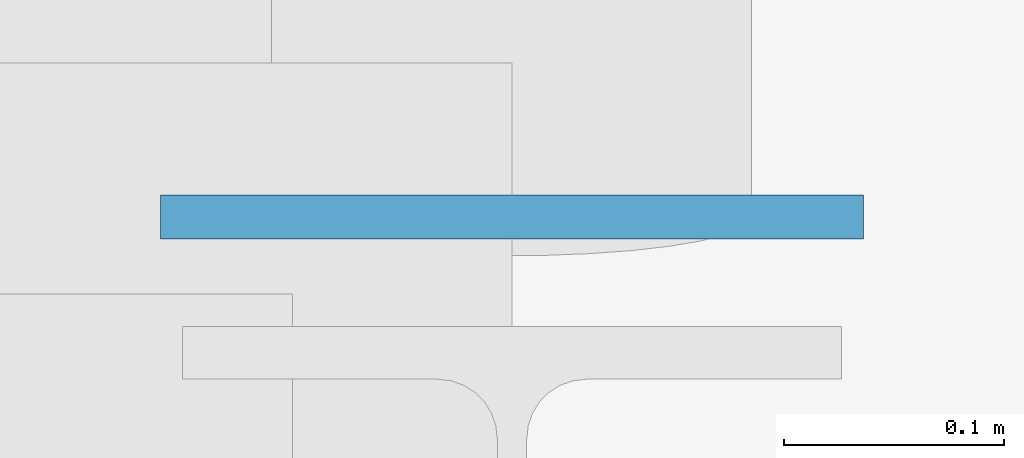
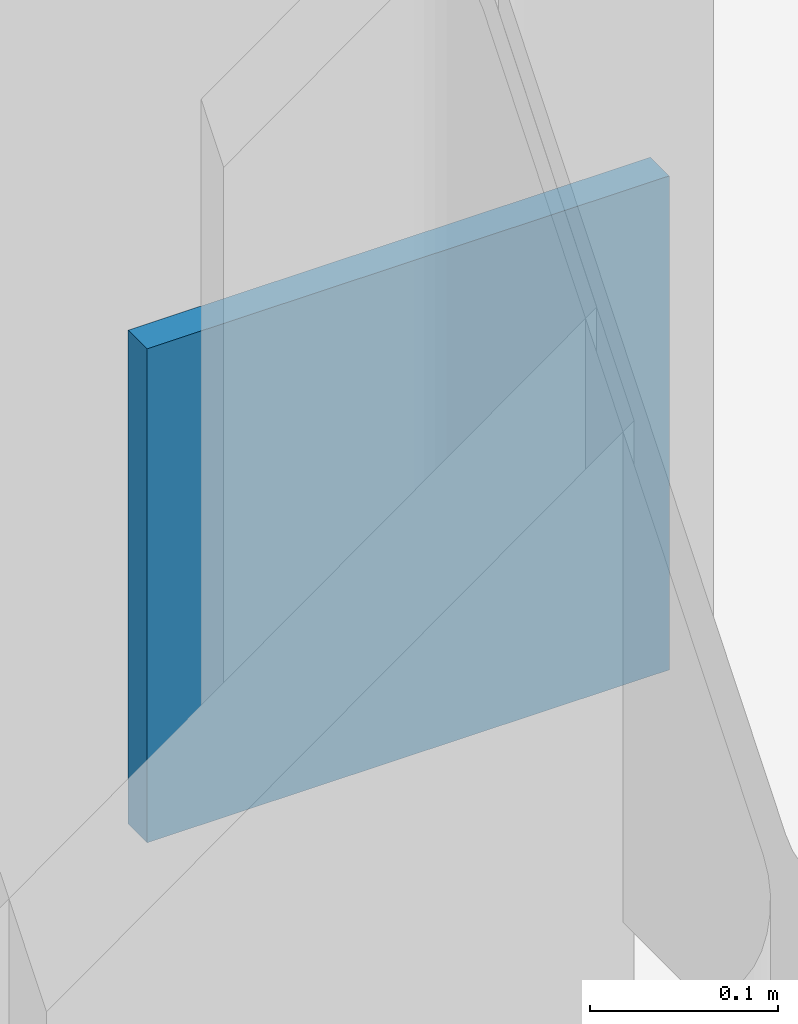
# One storey, part 20 of 27: 1 plate.
"""IFC4 building model written with IfcOpenShell, lengths in metres."""

from ifc_helpers import new_model, si_unit, direction, frame, origin, origin_2d, place, context, subcontext, project, spatial, rectangle, extrude, material, layer, layer_set, type_object, element, save


model = new_model("IFC4")

# Units and contexts
model_context = context("Model", 3, precision=1e-05, world=origin(), true_north=direction((0.0, 1.0)))
body_context = subcontext(model_context, "Body", "Model", "MODEL_VIEW")
ifc_project = project(units=[si_unit("LENGTHUNIT", "METRE"), si_unit("AREAUNIT", "SQUARE_METRE"), si_unit("VOLUMEUNIT", "CUBIC_METRE"), si_unit("PLANEANGLEUNIT", "RADIAN"), si_unit("MASSUNIT", "GRAM", prefix="KILO")], contexts=[model_context])

# Site, building, storey
site_placement = place(None, origin())
site = spatial("IfcSite", under=ifc_project, at=site_placement, CompositionType="ELEMENT")
building_placement = place(site_placement, origin())
building = spatial("IfcBuilding", under=site, at=building_placement, Name="Tazoul Stagehouse", CompositionType="ELEMENT")
storey_placement = place(building_placement, frame((0.0, 0.0, 24.89990234375)))
storey = spatial("IfcBuildingStorey", under=building, at=storey_placement, Name="RF", CompositionType="ELEMENT", Elevation=24.89990234375)

# Plate
ifc_material = material(Name="Steel S355", Category="steel")
ifc_layer = layer(ifc_material, 0.02001953125, Name="Steel S355")
ifc_layer_set = layer_set([ifc_layer], Name="Steel S355")
plate_type = type_object("IfcPlateType", Name="Steel Brace End-Cap Plate 320x320x20 (Exterior)", PredefinedType="USERDEFINED", material=ifc_layer_set)
plate_placement = place(storey_placement, frame((102.60009765625, 88.050048828125, -0.0400390625), z_axis=(0.0, 0.0, 1.0), x_axis=(0.0, 1.0, 0.0)))
element("IfcPlate", 1, at=plate_placement, inside=storey, type_object=plate_type, Name="RF Gusset End-Cap Plate GP-01E (BR-FT-RF-E1-1)", ObjectType="GUSSET PLATE", PredefinedType="USERDEFINED", context=body_context, shape_type="SweptSolid", body=[
    extrude(rectangle(XDim=0.02001953125, YDim=0.320068359375, at=origin_2d()), origin(), (0.0, 0.0, 1.0), 0.320068359375),
])

save(model, "model.ifc")
